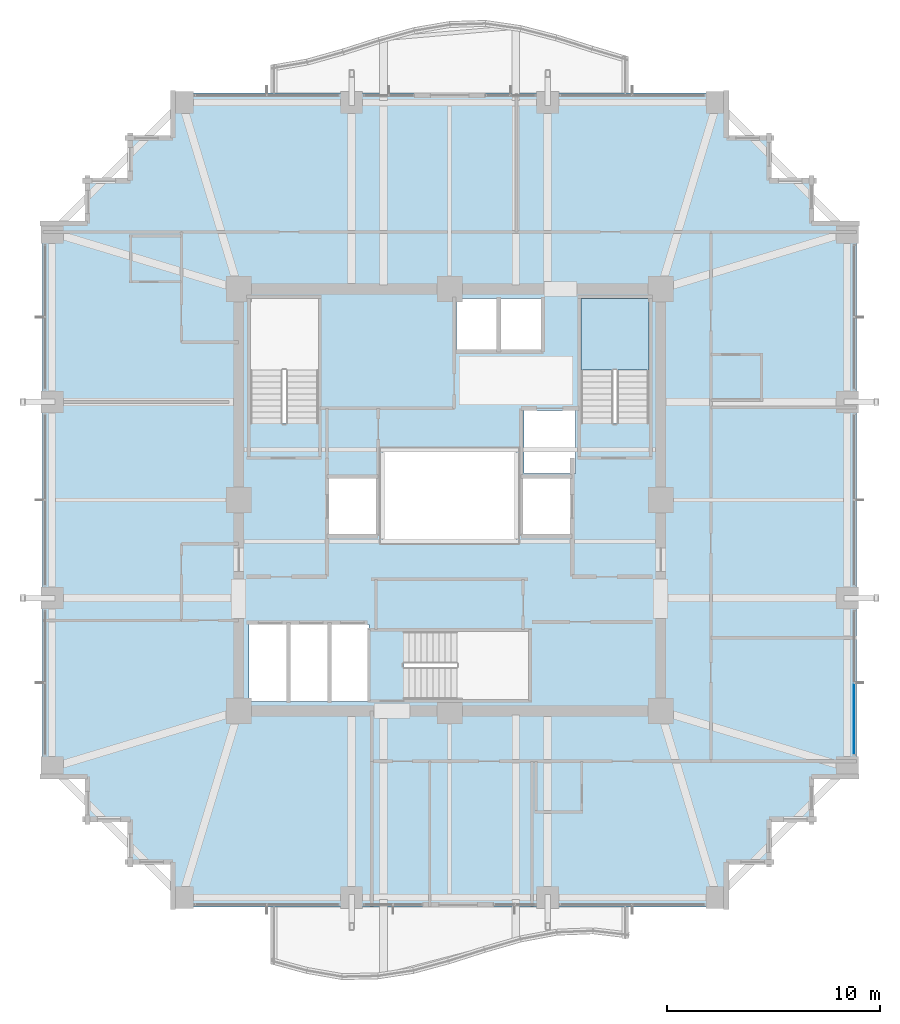
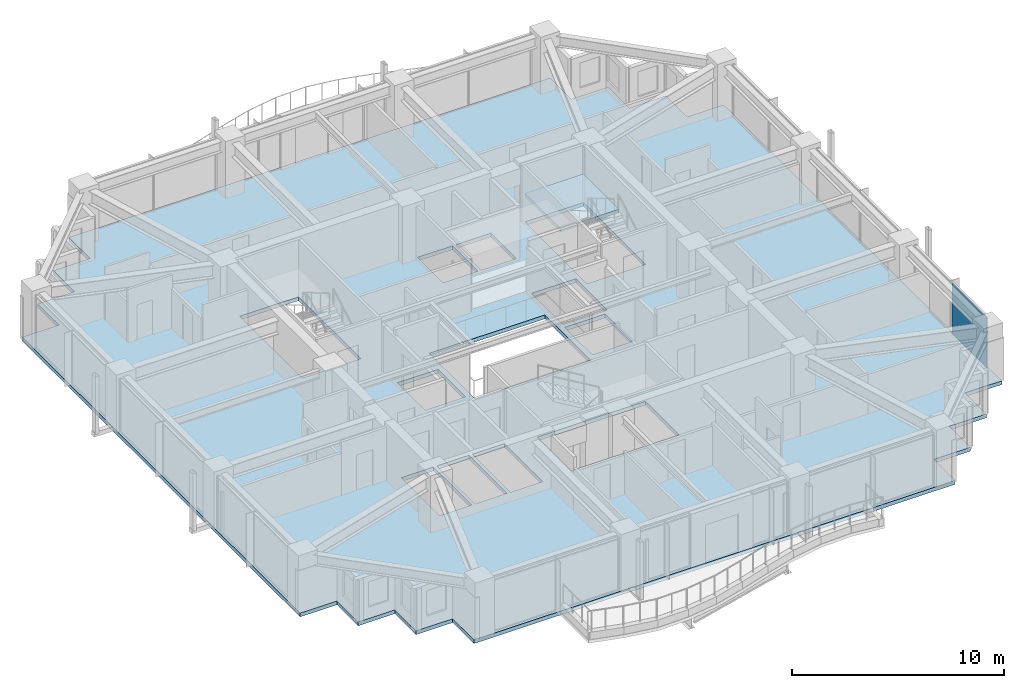
# One storey, part 22 of 31: 2 slabs, 1 plate, 2 elements without a shape of their own.
"""IFC4 building model written with IfcOpenShell, lengths in metres."""

from ifc_helpers import new_model, si_unit, direction, frame, origin, origin_2d, place, context, subcontext, project, spatial, polyline, rectangle, outline, extrude, material, layer, layer_set, type_object, element, aggregate, save


model = new_model("IFC4")

# Units and contexts
model_context = context("Model", 3, precision=1e-05, world=origin(), true_north=direction((0.0, 1.0)))
body_context = subcontext(model_context, "Body", "Model", "MODEL_VIEW")
ifc_project = project(units=[si_unit("LENGTHUNIT", "METRE"), si_unit("AREAUNIT", "SQUARE_METRE"), si_unit("VOLUMEUNIT", "CUBIC_METRE"), si_unit("PLANEANGLEUNIT", "RADIAN"), si_unit("MASSUNIT", "GRAM", prefix="KILO")], contexts=[model_context])

# Site, building, storey
site_placement = place(None, origin())
site = spatial("IfcSite", under=ifc_project, at=site_placement, CompositionType="ELEMENT")
building_placement = place(site_placement, origin())
building = spatial("IfcBuilding", under=site, at=building_placement, Name="Kolvaren Belvedere", CompositionType="ELEMENT")
storey_placement = place(building_placement, frame((0.0, 0.0, 118.39990234375)))
storey = spatial("IfcBuildingStorey", under=building, at=storey_placement, Name="L34", CompositionType="ELEMENT", Elevation=118.39990234375)

# Curtain wall, plate
ifc_material_1 = material(Name="Anodised pale-metal aluminium AA 6063-T6", Category="aluminium")
curtain_wall_type = type_object("IfcCurtainWallType", Name="CW-Z3-WAIST", PredefinedType="NOTDEFINED", material=ifc_material_1)
curtain_wall_placement = place(storey_placement, origin())
curtain_wall = element("IfcCurtainWall", 1, at=curtain_wall_placement, inside=storey, type_object=curtain_wall_type, Name="L34 Unitised Curtain Wall FCW-L34-E-B3", PredefinedType="NOTDEFINED")
ifc_material_2 = material(Name="Low-iron triple insulated glass", Category="glass")
ifc_layer_1 = layer(ifc_material_2, 0.028076171875)
ifc_layer_set_1 = layer_set([ifc_layer_1], Name="Low-iron triple insulated glass")
plate_type = type_object("IfcPlateType", Name="CW-PNL-VIS28", PredefinedType="CURTAIN_PANEL", material=ifc_layer_set_1)
plate_placement = place(storey_placement, frame((18.97998046875, -10.273681640625, 0.080078125), z_axis=(0.0, 0.0, 1.0), x_axis=(0.0, -1.0, 0.0)))
plate = element("IfcPlate", 2, at=plate_placement, type_object=plate_type, Name="FCW-L34-E-B3 Vision Glazing Panel 2", PredefinedType="CURTAIN_PANEL", context=body_context, shape_type="SweptSolid", body=[
    extrude(rectangle(XDim=3.3173828125, YDim=0.028076171875, at=origin_2d()), origin(), (0.0, 0.0, 1.0), 2.919921875),
])
aggregate(curtain_wall, [plate])

# Slab
ifc_material_3 = material(Name="Concrete C50/60", Category="concrete")
ifc_layer_2 = layer(ifc_material_3, 0.219970703125)
ifc_layer_set_2 = layer_set([ifc_layer_2], Name="Concrete C50/60")
slab_type_1 = type_object("IfcSlabType", Name="SL-FLR-220", PredefinedType="FLOOR", material=ifc_layer_set_2)
slab_1_placement = place(storey_placement, frame((0.0, 0.0, -0.219970703125)))
element("IfcSlab", 3, at=slab_1_placement, inside=storey, type_object=slab_type_1, Name="L34 Primary Structural Slab", PredefinedType="FLOOR", context=body_context, shape_type="SweptSolid", body=[
    extrude(outline(polyline([(-13.10009765625, -19.10009765625), (13.10009765625, -19.10009765625), (13.10009765625, -17.10009765625), (15.10009765625, -17.10009765625), (15.10009765625, -15.10009765625), (17.10009765625, -15.10009765625), (17.10009765625, -13.10009765625), (19.10009765625, -13.10009765625), (19.10009765625, 13.10009765625), (17.10009765625, 13.10009765625), (17.10009765625, 15.10009765625), (15.10009765625, 15.10009765625), (15.10009765625, 17.10009765625), (13.10009765625, 17.10009765625), (13.10009765625, 19.10009765625), (-13.10009765625, 19.10009765625), (-13.10009765625, 17.10009765625), (-15.10009765625, 17.10009765625), (-15.10009765625, 15.10009765625), (-17.10009765625, 15.10009765625), (-17.10009765625, 13.10009765625), (-19.10009765625, 13.10009765625), (-19.10009765625, -13.10009765625), (-17.10009765625, -13.10009765625), (-17.10009765625, -15.10009765625), (-15.10009765625, -15.10009765625), (-15.10009765625, -17.10009765625), (-13.10009765625, -17.10009765625), (-13.10009765625, -19.10009765625)]), holes=[polyline([(-9.35009765625, 3.580078125), (-6.159912109375, 3.580078125), (-6.159912109375, 9.449951171875), (-9.35009765625, 9.449951171875), (-9.35009765625, 3.580078125)]), polyline([(6.159912109375, 3.580078125), (9.35009765625, 3.580078125), (9.35009765625, 9.449951171875), (6.159912109375, 9.449951171875), (6.159912109375, 3.580078125)]), polyline([(-2.169921875, -9.35009765625), (3.699951171875, -9.35009765625), (3.699951171875, -6.159912109375), (-2.169921875, -6.159912109375), (-2.169921875, -9.35009765625)]), polyline([(-5.64990234375, -1.60009765625), (-3.449951171875, -1.60009765625), (-3.449951171875, 1.0), (-5.64990234375, 1.0), (-5.64990234375, -1.60009765625)]), polyline([(3.5, 1.25), (5.89990234375, 1.25), (5.89990234375, 4.199951171875), (3.5, 4.199951171875), (3.5, 1.25)]), polyline([(3.449951171875, -1.60009765625), (5.64990234375, -1.60009765625), (5.64990234375, 1.0), (3.449951171875, 1.0), (3.449951171875, -1.60009765625)]), polyline([(-9.39990234375, -9.449951171875), (-7.64990234375, -9.449951171875), (-7.64990234375, -5.85009765625), (-9.39990234375, -5.85009765625), (-9.39990234375, -9.449951171875)]), polyline([(-7.469970703125, -9.449951171875), (-5.719970703125, -9.449951171875), (-5.719970703125, -5.85009765625), (-7.469970703125, -5.85009765625), (-7.469970703125, -9.449951171875)]), polyline([(-5.5400390625, -9.449951171875), (-3.7900390625, -9.449951171875), (-3.7900390625, -5.85009765625), (-5.5400390625, -5.85009765625), (-5.5400390625, -9.449951171875)]), polyline([(0.320068359375, 7.050048828125), (2.219970703125, 7.050048828125), (2.219970703125, 9.449951171875), (0.320068359375, 9.449951171875), (0.320068359375, 7.050048828125)]), polyline([(2.39990234375, 7.050048828125), (4.300048828125, 7.050048828125), (4.300048828125, 9.449951171875), (2.39990234375, 9.449951171875), (2.39990234375, 7.050048828125)]), polyline([(-3.14990234375, -1.949951171875), (3.14990234375, -1.949951171875), (3.14990234375, 2.35009765625), (-3.14990234375, 2.35009765625), (-3.14990234375, -1.949951171875)])]), origin(), (0.0, 0.0, 1.0), 0.219970703125),
])

# Stair, slab
ifc_material_4 = material(Name="Concrete C50/60", Category="concrete")
stair_type = type_object("IfcStairType", Name="ST-CORE-1520", PredefinedType="HALF_TURN_STAIR", material=ifc_material_4)
stair_placement = place(storey_placement, origin())
stair = element("IfcStair", 4, at=stair_placement, inside=storey, type_object=stair_type, Name="L34 Protected Exit Stair ST-2", PredefinedType="HALF_TURN_STAIR")
ifc_material_5 = material(Name="Concrete C50/60", Category="concrete")
ifc_layer_3 = layer(ifc_material_5, 0.260009765625)
ifc_layer_set_3 = layer_set([ifc_layer_3], Name="Concrete C50/60")
slab_type_2 = type_object("IfcSlabType", Name="SL-LAND-260", PredefinedType="LANDING", material=ifc_layer_set_3)
slab_2_placement = place(storey_placement, frame((0.0, 0.0, 1.4501953125)))
slab_2 = element("IfcSlab", 5, at=slab_2_placement, type_object=slab_type_2, Name="ST-2 landing 1", PredefinedType="LANDING", context=body_context, shape_type="SweptSolid", body=[
    extrude(outline(polyline([(9.35009765625, 6.090087890625), (9.35009765625, 9.449951171875), (6.159912109375, 9.449951171875), (6.159912109375, 6.090087890625), (9.35009765625, 6.090087890625)])), origin(), (0.0, 0.0, 1.0), 0.199951171875),
])
aggregate(stair, [slab_2])

save(model, "model.ifc")
